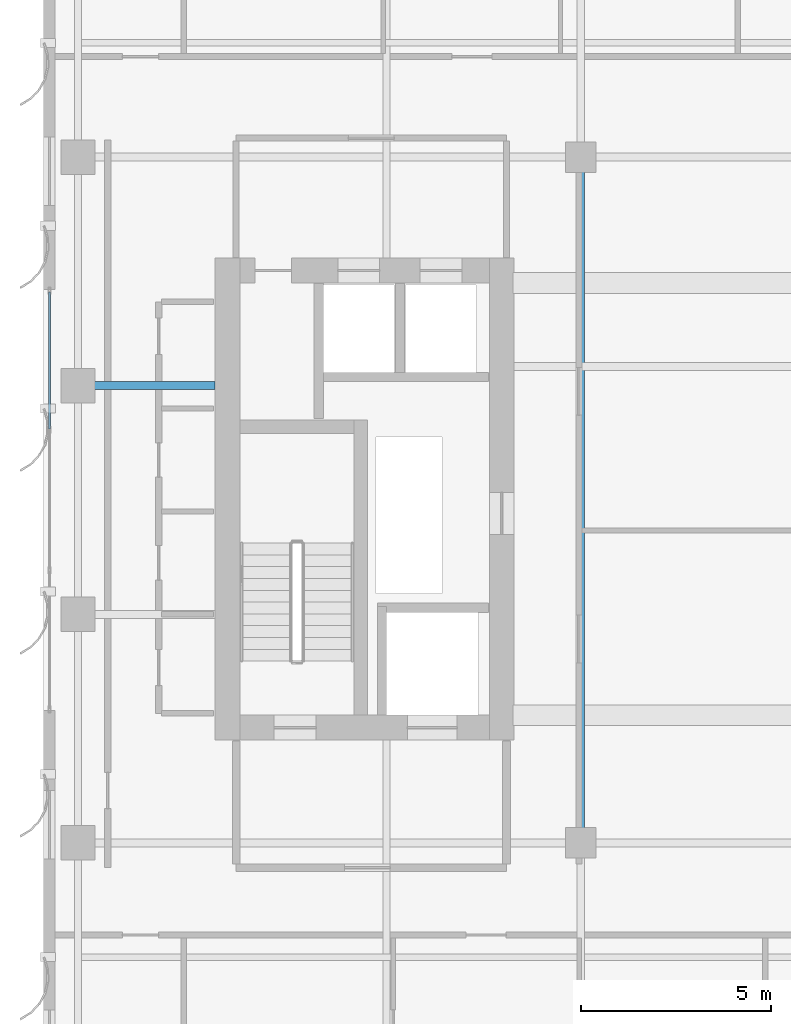
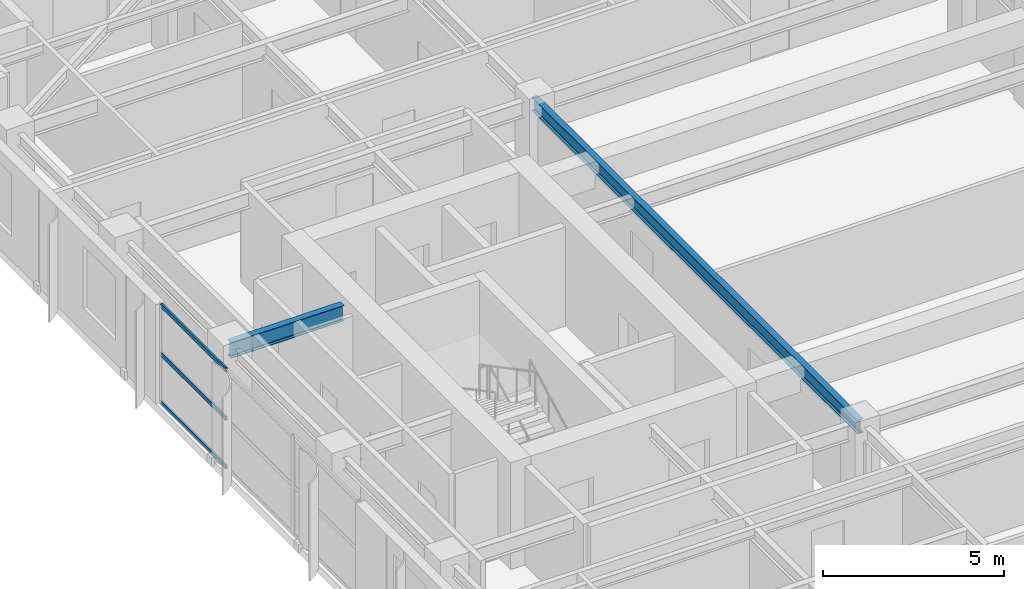
# One storey, part 8 of 25: 3 members, 2 beams, 1 element without a shape of its own.
"""IFC4 building model written with IfcOpenShell, lengths in metres."""

from ifc_helpers import new_model, si_unit, direction, frame, origin, origin_2d, place, context, subcontext, project, spatial, hollow_rectangle, i_section, extrude, source, transform, mapped, material, layer, layer_set, material_profile, profile_set, type_object, element, aggregate, save


model = new_model("IFC4")

# Units and contexts
model_context = context("Model", 3, precision=1e-05, world=origin(), true_north=direction((0.0, 1.0)))
body_context = subcontext(model_context, "Body", "Model", "MODEL_VIEW")
ifc_project = project(units=[si_unit("LENGTHUNIT", "METRE"), si_unit("AREAUNIT", "SQUARE_METRE"), si_unit("VOLUMEUNIT", "CUBIC_METRE"), si_unit("PLANEANGLEUNIT", "RADIAN"), si_unit("MASSUNIT", "GRAM", prefix="KILO")], contexts=[model_context])

# Site, building, storey
site_placement = place(None, origin())
site = spatial("IfcSite", under=ifc_project, at=site_placement, CompositionType="ELEMENT")
building_placement = place(site_placement, origin())
building = spatial("IfcBuilding", under=site, at=building_placement, Name="Khoralis Quay Care Tower", CompositionType="ELEMENT")
storey_placement = place(building_placement, frame((0.0, 0.0, 166.5)))
storey = spatial("IfcBuildingStorey", under=building, at=storey_placement, Name="L43", CompositionType="ELEMENT", Elevation=166.5)

# Beams
ifc_material_1 = material(Name="Steel S355", Category="steel")
ifc_material_profile_1 = material_profile(ifc_material_1, i_section(OverallWidth=0.208984375, OverallDepth=0.532958984375, WebThickness=0.01025390625, FlangeThickness=0.015625, FilletRadius=0.01611328125, at=origin_2d()), Name="Steel S355")
ifc_profile_set_1 = profile_set([ifc_material_profile_1], Name="Steel S355")
beam_type_1 = type_object("IfcBeamType", Name="BM-W530X92", PredefinedType="BEAM", material=ifc_profile_set_1)
shared_shape_1 = source(origin(), body_context, "Body", "SweptSolid", [
    extrude(i_section(OverallWidth=0.208984375, OverallDepth=0.532958984375, WebThickness=0.01025390625, FlangeThickness=0.015625, FilletRadius=0.01611328125, at=origin_2d()), origin(), (0.0, 0.0, 1.0), 3.60205078125),
])
beam_1_placement = place(storey_placement, frame((3.89990234375, 24.0, 3.073486328125), z_axis=(1.0, 0.0, 0.0), x_axis=(0.0, 1.0, 0.0)))
element("IfcBeam", 1, at=beam_1_placement, inside=storey, type_object=beam_type_1, Name="BM-TGXW-L43-240", PredefinedType="BEAM", context=body_context, shape_type="MappedRepresentation", body=[
    mapped(shared_shape_1, transform((0.0, 0.0, 0.0), scale=1.0)),
])
ifc_material_profile_2 = material_profile(ifc_material_1, i_section(OverallWidth=0.19189453125, OverallDepth=0.462890625, WebThickness=0.010498046875, FlangeThickness=0.017578125, FilletRadius=0.014892578125, at=origin_2d()), Name="Steel S355")
ifc_profile_set_2 = profile_set([ifc_material_profile_2], Name="Steel S355")
beam_type_2 = type_object("IfcBeamType", Name="BM-W460X89", PredefinedType="BEAM", material=ifc_profile_set_2)
shared_shape_2 = source(origin(), body_context, "Body", "SweptSolid", [
    extrude(i_section(OverallWidth=0.19189453125, OverallDepth=0.462890625, WebThickness=0.010498046875, FlangeThickness=0.017578125, FilletRadius=0.014892578125, at=origin_2d()), origin(), (0.0, 0.0, 1.0), 18.0),
])
beam_2_placement = place(storey_placement, frame((17.10009765625, 12.0, 3.1083984375), z_axis=(0.0, 1.0, 0.0), x_axis=(-1.0, 0.0, 0.0)))
element("IfcBeam", 2, at=beam_2_placement, inside=storey, type_object=beam_type_2, Name="BM-TGSW-L43", PredefinedType="BEAM", context=body_context, shape_type="MappedRepresentation", body=[
    mapped(shared_shape_2, transform((0.0, 0.0, 0.0), scale=1.0)),
])

# Curtain wall, members
ifc_material_2 = material(Name="Pale anodised aluminium", Category="aluminium")
ifc_layer = layer(ifc_material_2, 0.159912109375)
ifc_layer_set = layer_set([ifc_layer], Name="Pale anodised aluminium")
curtain_wall_type = type_object("IfcCurtainWallType", Name="CW-SYS-Z3", PredefinedType="NOTDEFINED", material=ifc_layer_set)
curtain_wall_placement = place(storey_placement, origin())
curtain_wall = element("IfcCurtainWall", 3, at=curtain_wall_placement, inside=storey, type_object=curtain_wall_type, Name="L43 Unitised Curtain Wall CW-L43-P1-E15", PredefinedType="NOTDEFINED")
ifc_material_profile_3 = material_profile(ifc_material_2, hollow_rectangle(XDim=0.06005859375, YDim=0.139892578125, WallThickness=0.00390625, at=origin_2d()), Name="Pale anodised aluminium")
ifc_profile_set_3 = profile_set([ifc_material_profile_3], Name="Pale anodised aluminium")
member_type = type_object("IfcMemberType", Name="CW-TRN-140", PredefinedType="USERDEFINED", material=ifc_profile_set_3)
shared_shape_3 = source(origin(), body_context, "Body", "SweptSolid", [
    extrude(hollow_rectangle(XDim=0.06005859375, YDim=0.139892578125, WallThickness=0.00390625, at=origin_2d()), origin(), (0.0, 0.0, 1.0), 3.58984375),
])
member_1_placement = place(storey_placement, frame((3.14990234375, 26.4599609375, 0.030029296875), z_axis=(0.0, -1.0, 0.0), x_axis=(1.0, 0.0, 0.0)))
member_1 = element("IfcMember", 4, at=member_1_placement, type_object=member_type, Name="CW3 transom 1.1", ObjectType="TRANSOM", PredefinedType="USERDEFINED", context=body_context, shape_type="MappedRepresentation", body=[
    mapped(shared_shape_3, transform((0.0, 0.0, 0.0), scale=1.0)),
])
member_2_placement = place(storey_placement, frame((3.14990234375, 26.4599609375, 1.669921875), z_axis=(0.0, -1.0, 0.0), x_axis=(1.0, 0.0, 0.0)))
member_2 = element("IfcMember", 5, at=member_2_placement, type_object=member_type, Name="CW3 transom 1.2", ObjectType="TRANSOM", PredefinedType="USERDEFINED", context=body_context, shape_type="MappedRepresentation", body=[
    mapped(shared_shape_3, transform((0.0, 0.0, 0.0), scale=1.0)),
])
member_3_placement = place(storey_placement, frame((3.14990234375, 26.4599609375, 3.31005859375), z_axis=(0.0, -1.0, 0.0), x_axis=(1.0, 0.0, 0.0)))
member_3 = element("IfcMember", 6, at=member_3_placement, type_object=member_type, Name="CW3 transom 1.3", ObjectType="TRANSOM", PredefinedType="USERDEFINED", context=body_context, shape_type="MappedRepresentation", body=[
    mapped(shared_shape_3, transform((0.0, 0.0, 0.0), scale=1.0)),
])
aggregate(curtain_wall, [member_1, member_2, member_3])

save(model, "model.ifc")
